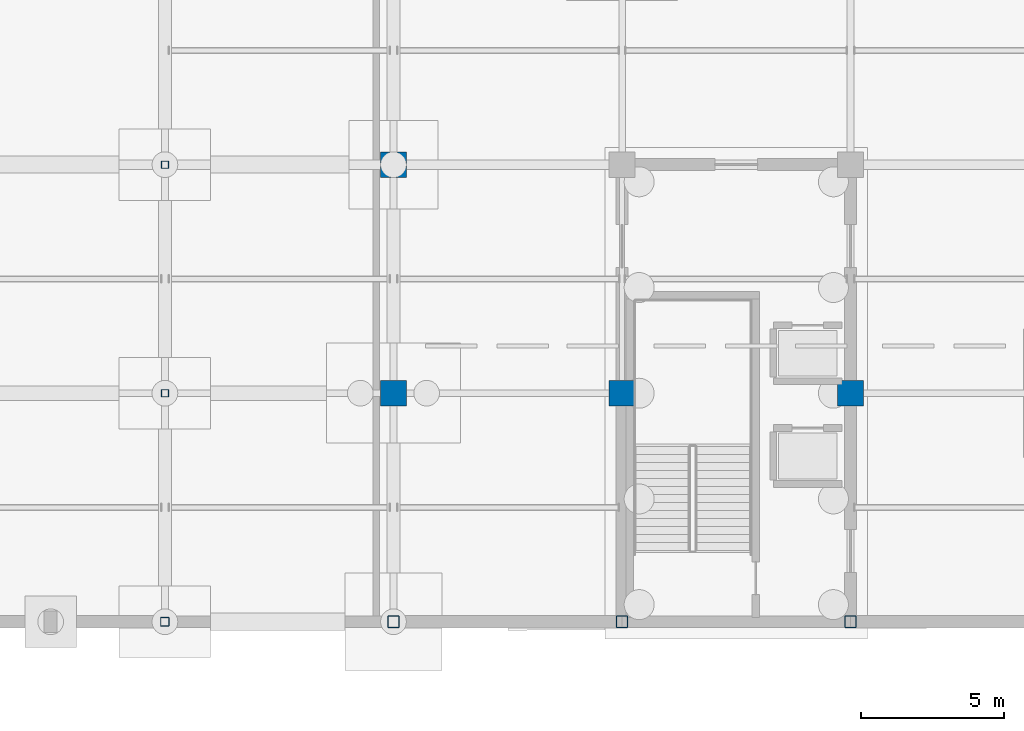
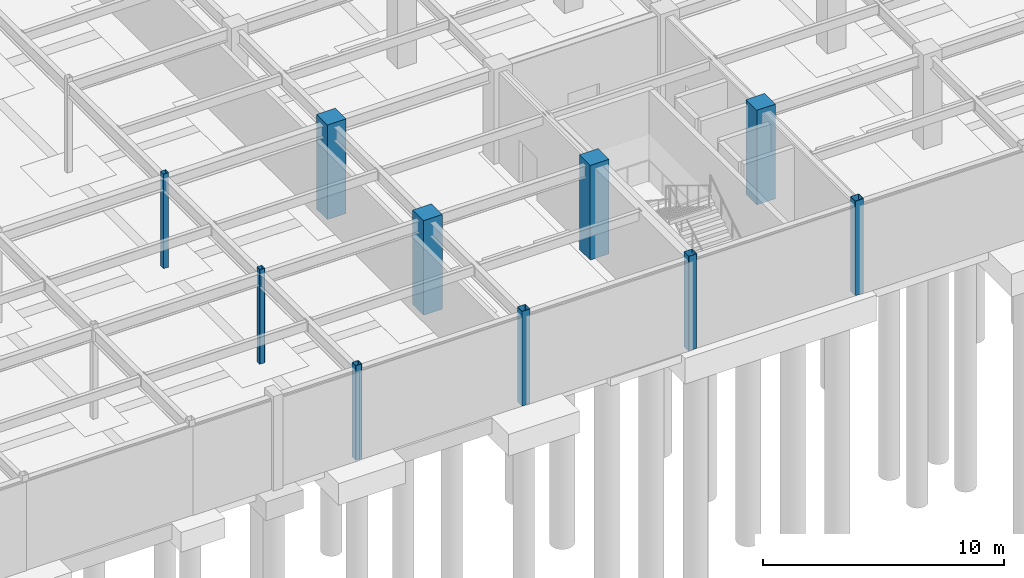
# One storey, part 18 of 105: 10 columns.
"""IFC4 building model written with IfcOpenShell, lengths in metres."""

from ifc_helpers import new_model, si_unit, direction, frame, origin, origin_2d, place, context, subcontext, project, spatial, rectangle, hollow_rectangle, extrude, material, material_profile, profile_set, type_object, element, save


model = new_model("IFC4")

# Units and contexts
model_context = context("Model", 3, precision=1e-05, world=origin(), true_north=direction((0.0, 1.0)))
body_context = subcontext(model_context, "Body", "Model", "MODEL_VIEW")
ifc_project = project(units=[si_unit("LENGTHUNIT", "METRE"), si_unit("AREAUNIT", "SQUARE_METRE"), si_unit("VOLUMEUNIT", "CUBIC_METRE"), si_unit("PLANEANGLEUNIT", "RADIAN"), si_unit("MASSUNIT", "GRAM", prefix="KILO")], contexts=[model_context])

# Site, building, storey
site_placement = place(None, origin())
site = spatial("IfcSite", under=ifc_project, at=site_placement, CompositionType="ELEMENT")
building_placement = place(site_placement, origin())
building = spatial("IfcBuilding", under=site, at=building_placement, Name="Solmirada Galleria", CompositionType="ELEMENT")
storey_placement = place(building_placement, frame((0.0, 0.0, -4.800048828125)))
storey = spatial("IfcBuildingStorey", under=building, at=storey_placement, Name="B1", CompositionType="ELEMENT", Elevation=-4.800048828125)

# Columns
ifc_material_1 = material(Name="Steel S355 / ASTM A500 Grade C", Category="steel")
ifc_material_profile_1 = material_profile(ifc_material_1, hollow_rectangle(XDim=0.25390625, YDim=0.25390625, WallThickness=0.0087890625, InnerFilletRadius=0.0087890625, OuterFilletRadius=0.017822265625, at=origin_2d()), Name="HSS10X10X3/8")
ifc_profile_set_1 = profile_set([ifc_material_profile_1], Name="Steel S355 / ASTM A500 Grade C")
column_type_1 = type_object("IfcColumnType", Name="COL-HSS10", PredefinedType="COLUMN", material=ifc_profile_set_1)
for number, where, z_axis, x_axis, name in (
    (1, (72.0, 8.0, 0.0), (0.0, 0.0, 1.0), (1.0, 0.0, 0.0), "Structural column B1-0281"),
    (2, (72.0, 16.0, 0.0), (0.0, 0.0, 1.0), (1.0, 0.0, 0.0), "Structural column B1-0284"),
):
    element("IfcColumn", number, at=place(storey_placement, frame(where, z_axis=z_axis, x_axis=x_axis)), inside=storey, type_object=column_type_1, Name=name, PredefinedType="COLUMN", context=body_context, shape_type="SweptSolid", body=[
        extrude(hollow_rectangle(XDim=0.25390625, YDim=0.25390625, WallThickness=0.0087890625, InnerFilletRadius=0.0087890625, OuterFilletRadius=0.017822265625, at=origin_2d()), origin(), (0.0, 0.0, 1.0), 4.800048828125),
    ])
ifc_material_profile_2 = material_profile(ifc_material_1, hollow_rectangle(XDim=0.304931640625, YDim=0.304931640625, WallThickness=0.01171875, InnerFilletRadius=0.01171875, OuterFilletRadius=0.023681640625, at=origin_2d()), Name="HSS12X12X1/2")
ifc_profile_set_2 = profile_set([ifc_material_profile_2], Name="Steel S355 / ASTM A500 Grade C")
column_type_2 = type_object("IfcColumnType", Name="COL-HSS12", PredefinedType="COLUMN", material=ifc_profile_set_2)
column_placement = place(storey_placement, frame((72.0, 0.0, 0.0), z_axis=(0.0, 0.0, 1.0), x_axis=(1.0, 0.0, 0.0)))
element("IfcColumn", 3, at=column_placement, inside=storey, type_object=column_type_2, Name="Structural column B1-0278", PredefinedType="COLUMN", context=body_context, shape_type="SweptSolid", body=[
    extrude(hollow_rectangle(XDim=0.304931640625, YDim=0.304931640625, WallThickness=0.01171875, InnerFilletRadius=0.01171875, OuterFilletRadius=0.023681640625, at=origin_2d()), origin(), (0.0, 0.0, 1.0), 4.800048828125),
])
ifc_material_profile_3 = material_profile(ifc_material_1, hollow_rectangle(XDim=0.406005859375, YDim=0.406005859375, WallThickness=0.0146484375, InnerFilletRadius=0.0146484375, OuterFilletRadius=0.029296875, at=origin_2d()), Name="HSS16X16X5/8")
ifc_profile_set_3 = profile_set([ifc_material_profile_3], Name="Steel S355 / ASTM A500 Grade C")
column_type_3 = type_object("IfcColumnType", Name="COL-HSS16", PredefinedType="COLUMN", material=ifc_profile_set_3)
for number, where, z_axis, x_axis, name in (
    (4, (80.0, 0.0, 0.0), (0.0, 0.0, 1.0), (1.0, 0.0, 0.0), "Structural column B1-0345"),
    (5, (88.0, 0.0, 0.0), (0.0, 0.0, 1.0), (1.0, 0.0, 0.0), "Structural column B1-0462"),
    (6, (96.0, 0.0, 0.0), (0.0, 0.0, 1.0), (1.0, 0.0, 0.0), "Structural column B1-0584"),
):
    element("IfcColumn", number, at=place(storey_placement, frame(where, z_axis=z_axis, x_axis=x_axis)), inside=storey, type_object=column_type_3, Name=name, PredefinedType="COLUMN", context=body_context, shape_type="SweptSolid", body=[
        extrude(hollow_rectangle(XDim=0.406005859375, YDim=0.406005859375, WallThickness=0.0146484375, InnerFilletRadius=0.0146484375, OuterFilletRadius=0.029296875, at=origin_2d()), origin(), (0.0, 0.0, 1.0), 4.800048828125),
    ])
ifc_material_2 = material(Name="Concrete C40/50", Category="concrete")
ifc_material_profile_4 = material_profile(ifc_material_2, rectangle(XDim=0.89990234375, YDim=0.89990234375, at=origin_2d()), Name="RC900X900")
ifc_profile_set_4 = profile_set([ifc_material_profile_4], Name="Concrete C40/50")
column_type_4 = type_object("IfcColumnType", Name="COL-RC900", PredefinedType="COLUMN", material=ifc_profile_set_4)
for number, where, z_axis, x_axis, name in (
    (7, (80.0, 8.0, 0.0), (0.0, 0.0, 1.0), (1.0, 0.0, 0.0), "Structural column B1-0353"),
    (8, (80.0, 16.0, 0.0), (0.0, 0.0, 1.0), (1.0, 0.0, 0.0), "Structural column B1-0361"),
    (9, (88.0, 8.0, 0.0), (0.0, 0.0, 1.0), (1.0, 0.0, 0.0), "Structural column B1-0470"),
    (10, (96.0, 8.0, 0.0), (0.0, 0.0, 1.0), (1.0, 0.0, 0.0), "Structural column B1-0592"),
):
    element("IfcColumn", number, at=place(storey_placement, frame(where, z_axis=z_axis, x_axis=x_axis)), inside=storey, type_object=column_type_4, Name=name, PredefinedType="COLUMN", context=body_context, shape_type="SweptSolid", body=[
        extrude(rectangle(XDim=0.89990234375, YDim=0.89990234375, at=origin_2d()), origin(), (0.0, 0.0, 1.0), 4.800048828125),
    ])

save(model, "model.ifc")
